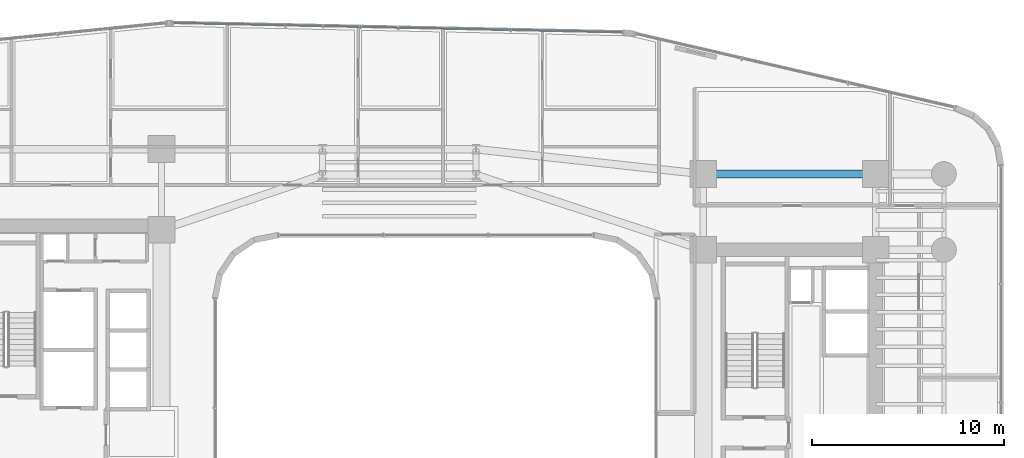
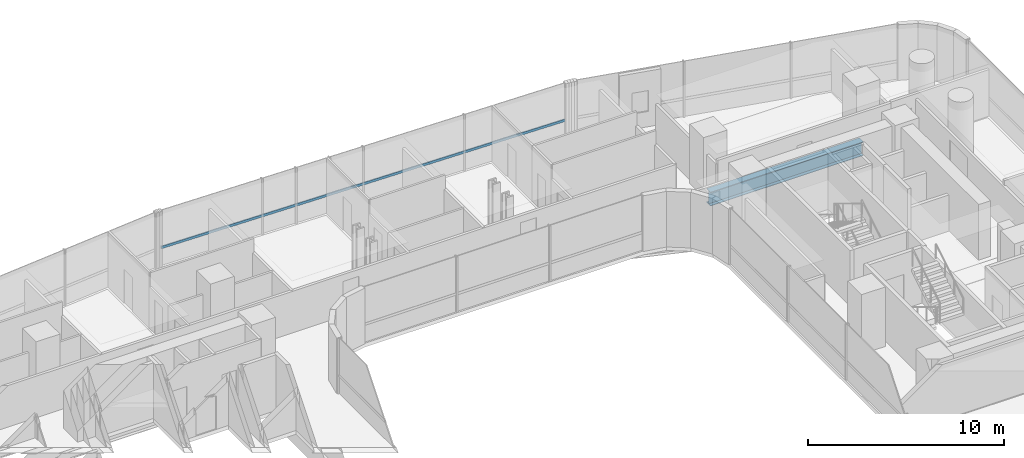
# One storey, part 23 of 41: 1 beam, 1 member, 1 element without a shape of its own.
"""IFC4 building model written with IfcOpenShell, lengths in metres."""

from ifc_helpers import new_model, si_unit, direction, frame, origin, origin_2d, place, context, subcontext, project, spatial, hollow_rectangle, i_section, extrude, source, transform, mapped, material, material_profile, profile_set, type_object, element, aggregate, save


model = new_model("IFC4")

# Units and contexts
model_context = context("Model", 3, precision=1e-05, world=origin(), true_north=direction((0.0, 1.0)))
body_context = subcontext(model_context, "Body", "Model", "MODEL_VIEW")
ifc_project = project(units=[si_unit("LENGTHUNIT", "METRE"), si_unit("AREAUNIT", "SQUARE_METRE"), si_unit("VOLUMEUNIT", "CUBIC_METRE"), si_unit("PLANEANGLEUNIT", "RADIAN"), si_unit("MASSUNIT", "GRAM", prefix="KILO")], contexts=[model_context])

# Site, building, storey
site_placement = place(None, origin())
site = spatial("IfcSite", under=ifc_project, at=site_placement, CompositionType="ELEMENT")
building_placement = place(site_placement, origin())
building = spatial("IfcBuilding", under=site, at=building_placement, Name="Valdorenza Pilgrim Sanctuary Tower", CompositionType="ELEMENT")
storey_placement = place(building_placement, frame((0.0, 0.0, 59.300048828125)))
storey = spatial("IfcBuildingStorey", under=building, at=storey_placement, Name="L14", CompositionType="ELEMENT", Elevation=59.300048828125)

# Beam
ifc_material_1 = material(Name="Steel ASTM A992 Grade 50", Category="steel")
ifc_material_profile_1 = material_profile(ifc_material_1, i_section(OverallWidth=0.39990234375, OverallDepth=0.862060546875, WebThickness=0.019775390625, FlangeThickness=0.032470703125, at=origin_2d()), Name="W33X221")
ifc_profile_set_1 = profile_set([ifc_material_profile_1], Name="Steel ASTM A992 Grade 50")
beam_type = type_object("IfcBeamType", Name="STR-BM-GRD-W33", PredefinedType="BEAM", material=ifc_profile_set_1)
shared_shape_1 = source(origin(), body_context, "Body", "SweptSolid", [
    extrude(i_section(OverallWidth=0.39990234375, OverallDepth=0.862060546875, WebThickness=0.019775390625, FlangeThickness=0.032470703125, at=origin_2d()), origin(), (0.0, 0.0, 1.0), 9.0),
])
beam_placement = place(storey_placement, frame((15.85009765625, 13.5, -0.671142578125), z_axis=(1.0, 0.0, 0.0), x_axis=(0.0, 1.0, 0.0)))
element("IfcBeam", 1, at=beam_placement, inside=storey, type_object=beam_type, Name="L14 Floor Girder CB-XC-N2", PredefinedType="BEAM", context=body_context, shape_type="MappedRepresentation", body=[
    mapped(shared_shape_1, transform((0.0, 0.0, 0.0), x_axis=(1.0, 0.0, 0.0), y_axis=(0.0, 1.0, 0.0), z_axis=(0.0, 0.0, 1.0), scale=1.0)),
])

# Curtain wall, member
ifc_material_2 = material(Name="Curtain-wall IGU glazing", Category="glass")
curtain_wall_type = type_object("IfcCurtainWallType", Name="CW-SYS-02", PredefinedType="NOTDEFINED", material=ifc_material_2)
curtain_wall_placement = place(storey_placement, origin())
curtain_wall = element("IfcCurtainWall", 2, at=curtain_wall_placement, inside=storey, type_object=curtain_wall_type, Name="L14 Curtain Wall CW-L14-1-11", PredefinedType="NOTDEFINED")
ifc_material_3 = material(Name="Anodised aluminium AW-6060", Category="aluminium")
ifc_material_profile_2 = material_profile(ifc_material_3, hollow_rectangle(XDim=0.074951171875, YDim=0.14990234375, WallThickness=0.00390625, at=origin_2d()), Name="ALU-T 150x75x4")
ifc_profile_set_2 = profile_set([ifc_material_profile_2], Name="Anodised aluminium AW-6060")
member_type = type_object("IfcMemberType", Name="CW-TRN-02", PredefinedType="USERDEFINED", material=ifc_profile_set_2)
shared_shape_2 = source(origin(), body_context, "Body", "SweptSolid", [
    extrude(hollow_rectangle(XDim=0.074951171875, YDim=0.14990234375, WallThickness=0.00390625, at=origin_2d()), origin(), (0.0, 0.0, 1.0), 23.479248046875),
])
member_placement = place(storey_placement, frame((-11.808349609375, 21.385986328125, 1.119873046875), z_axis=(0.999783083794, -0.020827514476, 0.0), x_axis=(0.020827514476, 0.999783083794, 0.0)))
member = element("IfcMember", 3, at=member_placement, type_object=member_type, Name="CW-L14-1-11 Transom 1", ObjectType="TRANSOM", PredefinedType="USERDEFINED", context=body_context, shape_type="MappedRepresentation", body=[
    mapped(shared_shape_2, transform((0.0, 0.0, 0.0), x_axis=(1.0, 0.0, 0.0), y_axis=(0.0, 1.0, 0.0), z_axis=(0.0, 0.0, 1.0), scale=1.0)),
])
aggregate(curtain_wall, [member])

save(model, "model.ifc")
